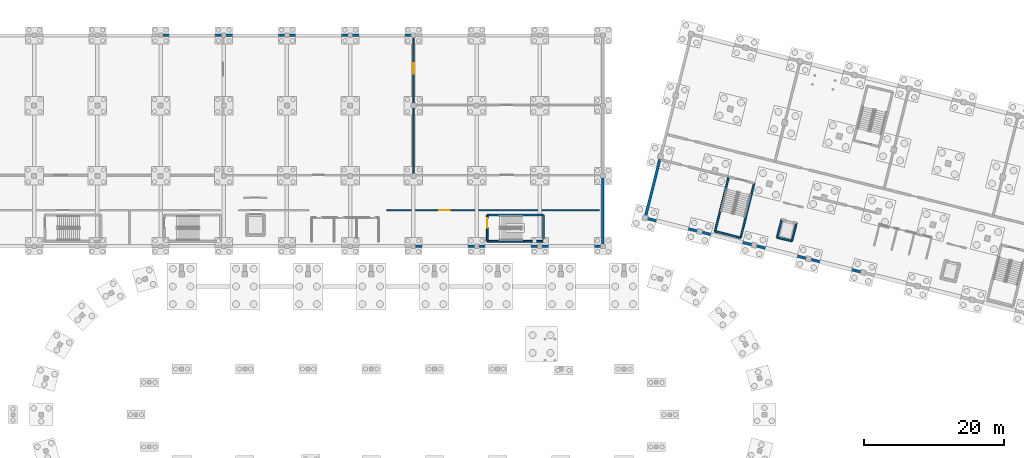
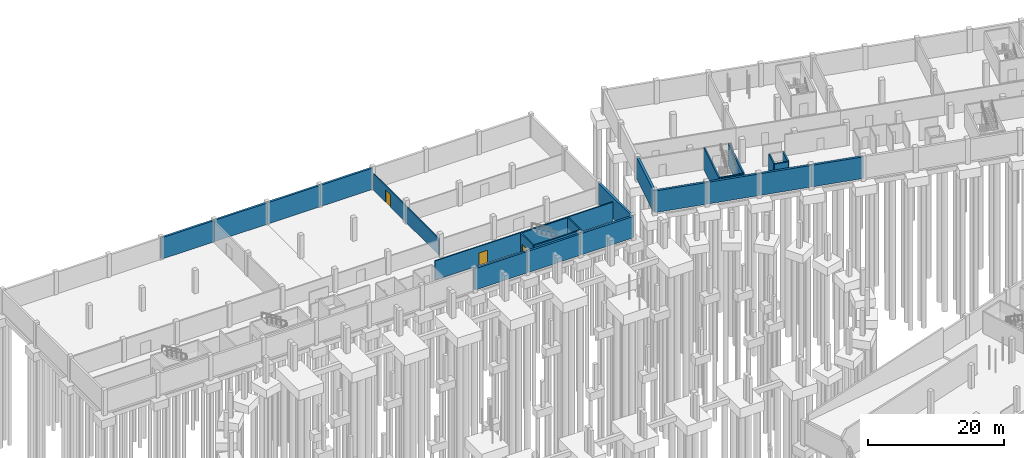
# One storey, part 22 of 36: 25 walls, 3 doors, 3 openings.
"""IFC4 building model written with IfcOpenShell, lengths in metres."""

from ifc_helpers import new_model, si_unit, derived_unit, direction, frame, frame_2d, origin, place, context, subcontext, project, spatial, rectangle, extrude, material, layer, layer_set, type_object, element, fill, save


model = new_model("IFC4")

# Units and contexts
model_context = context("Model", 3, precision=1e-05, world=origin(), true_north=direction((0.0, 1.0)))
body_context = subcontext(model_context, "Body", "Model", "MODEL_VIEW")
ifc_project = project(units=[si_unit("LENGTHUNIT", "METRE"), si_unit("AREAUNIT", "SQUARE_METRE"), si_unit("VOLUMEUNIT", "CUBIC_METRE"), si_unit("PLANEANGLEUNIT", "RADIAN"), si_unit("MASSUNIT", "GRAM", prefix="KILO"), si_unit("THERMODYNAMICTEMPERATUREUNIT", "KELVIN"), si_unit("TIMEUNIT", "SECOND"), derived_unit("THERMALTRANSMITTANCEUNIT", [(si_unit("MASSUNIT", "GRAM", prefix="KILO"), 1), (si_unit("THERMODYNAMICTEMPERATUREUNIT", "KELVIN"), -1), (si_unit("TIMEUNIT", "SECOND"), -3)])], contexts=[model_context])

# Site, building, storey
site_placement = place(None, origin())
site = spatial("IfcSite", under=ifc_project, at=site_placement, CompositionType="ELEMENT")
building_placement = place(site_placement, origin())
building = spatial("IfcBuilding", under=site, at=building_placement, Name="Cambertide Market Hall", CompositionType="ELEMENT")
storey_placement = place(building_placement, frame((0.0, 0.0, -4.199951171875)))
storey = spatial("IfcBuildingStorey", under=building, at=storey_placement, Name="B1", CompositionType="ELEMENT", Elevation=-4.199951171875)

# Walls
ifc_material_1 = material(Name="Concrete B35", Category="concrete")
ifc_layer_1 = layer(ifc_material_1, 0.35009765625, Name="Basement Retaining Wall 350")
ifc_layer_set_1 = layer_set([ifc_layer_1], Name="Concrete B35")
wall_type_1 = type_object("IfcWallType", Name="Basement Retaining Wall 350", PredefinedType="SOLIDWALL", material=ifc_layer_set_1)
for number, where, z_axis, x_axis, name in (
    (1, (39.0, 126.0, 0.0), (0.0, 0.0, 1.0), (1.0, 0.0, 0.0), "Basement 1 Exterior Wall EW-B1-V2N-4"),
    (2, (48.0, 126.0, 0.0), (0.0, 0.0, 1.0), (1.0, 0.0, 0.0), "Basement 1 Exterior Wall EW-B1-V2N-5"),
    (3, (57.0, 126.0, 0.0), (0.0, 0.0, 1.0), (1.0, 0.0, 0.0), "Basement 1 Exterior Wall EW-B1-V2N-6"),
    (4, (66.0, 126.0, 0.0), (0.0, 0.0, 1.0), (1.0, 0.0, 0.0), "Basement 1 Exterior Wall EW-B1-V2N-7"),
    (5, (84.0, 96.0, 0.0), (0.0, 0.0, 1.0), (-1.0, 0.0, 0.0), "Basement 1 Exterior Wall EW-B1-V2S-8"),
    (6, (93.0, 96.0, 0.0), (0.0, 0.0, 1.0), (-1.0, 0.0, 0.0), "Basement 1 Exterior Wall EW-B1-V2S-9"),
    (7, (102.0, 96.0, 0.0), (0.0, 0.0, 1.0), (-1.0, 0.0, 0.0), "Basement 1 Exterior Wall EW-B1-V2S-10"),
):
    element("IfcWall", number, at=place(storey_placement, frame(where, z_axis=z_axis, x_axis=x_axis)), inside=storey, type_object=wall_type_1, Name=name, PredefinedType="SOLIDWALL", context=body_context, shape_type="SweptSolid", body=[
        extrude(rectangle(XDim=9.0, YDim=0.35009765625, at=frame_2d((4.5, 0.0))), origin(), (0.0, 0.0, 1.0), 3.83984375),
    ])
wall_1_placement = place(storey_placement, frame((102.0, 106.0, 0.0), z_axis=(0.0, 0.0, 1.0), x_axis=(0.0, -1.0, 0.0)))
element("IfcWall", 8, at=wall_1_placement, inside=storey, type_object=wall_type_1, Name="Basement 1 Exterior Wall EW-B1-V2E-1", PredefinedType="SOLIDWALL", context=body_context, shape_type="SweptSolid", body=[
    extrude(rectangle(XDim=10.0, YDim=0.35009765625, at=frame_2d((5.0, 0.0))), origin(), (0.0, 0.0, 1.0), 3.83984375),
])

# Wall, opening, door
ifc_material_2 = material(Name="Polyurethane Insulated Stainless Sandwich Panel", Category="metal")
ifc_layer_2 = layer(ifc_material_2, 0.179931640625, Name="Cold-Store Insulated Sandwich Wall 180")
ifc_layer_set_2 = layer_set([ifc_layer_2], Name="Polyurethane Insulated Stainless Sandwich Panel")
wall_type_2 = type_object("IfcWallType", Name="Cold-Store Insulated Sandwich Wall 180", PredefinedType="PARTITIONING", material=ifc_layer_set_2)
wall_2_placement = place(storey_placement, frame((71.199951171875, 101.10009765625, 0.0), z_axis=(0.0, 0.0, 1.0), x_axis=(1.0, 0.0, 0.0)))
wall_2 = element("IfcWall", 9, at=wall_2_placement, inside=storey, type_object=wall_type_2, Name="Basement 1 Interior Wall IW-B1-CS-S3", PredefinedType="PARTITIONING", context=body_context, shape_type="SweptSolid", body=[
    extrude(rectangle(XDim=30.300048828125, YDim=0.179931640625, at=frame_2d((15.14990234375, 0.0))), origin(), (0.0, 0.0, 1.0), 3.43994140625),
])
opening_1_placement = place(wall_2_placement, frame((7.488037109375, 0.0, 0.0)))
opening_1 = element("IfcOpeningElement", 10, at=opening_1_placement, cuts=wall_2, Name="Opening CD-01", PredefinedType="OPENING", context=body_context, shape_type="SweptSolid", body=[
    extrude(rectangle(XDim=1.5, YDim=2.25, at=frame_2d((0.75, 1.125))), frame((0.0, 0.099853515625, 0.0), z_axis=(0.0, -1.0, 0.0), x_axis=(1.0, 0.0, 0.0)), (0.0, 0.0, 1.0), 0.199951171875),
])
ifc_material_3 = material(Name="Polyurethane Insulated Stainless Sandwich Panel", Category="metal")
door_type_1 = type_object("IfcDoorType", Name="Cold-Store Insulated Sliding Door 1500x2250", OperationType="SLIDING_TO_LEFT", PredefinedType="DOOR", material=ifc_material_3)
door_1_placement = place(opening_1_placement, origin())
door_1 = element("IfcDoor", 11, at=door_1_placement, inside=storey, type_object=door_type_1, Name="Basement 1 Door IW-B1-CS-S3-DR1", OperationType="SLIDING_TO_LEFT", OverallHeight=2.25, OverallWidth=1.5, PredefinedType="DOOR", context=body_context, shape_type="SweptSolid", body=[
    extrude(rectangle(XDim=1.5, YDim=2.25, at=frame_2d((0.75, 1.125))), frame((0.0, 0.02490234375, 0.0), z_axis=(0.0, -1.0, 0.0), x_axis=(1.0, 0.0, 0.0)), (0.0, 0.0, 1.0), 0.050048828125),
])
fill(opening_1, door_1)

wall_3_placement = place(storey_placement, frame((75.0, 106.199951171875, 0.0), z_axis=(0.0, 0.0, 1.0), x_axis=(0.0, 1.0, 0.0)))
wall_3 = element("IfcWall", 12, at=wall_3_placement, inside=storey, type_object=wall_type_2, Name="Basement 1 Interior Wall IW-B1-ICE-W", PredefinedType="PARTITIONING", context=body_context, shape_type="SweptSolid", body=[
    extrude(rectangle(XDim=19.400146484375, YDim=0.179931640625, at=frame_2d((9.7001953125, 0.0))), origin(), (0.0, 0.0, 1.0), 2.93994140625),
])
opening_2_placement = place(wall_3_placement, frame((14.320068359375, 0.0, 0.0)))
opening_2 = element("IfcOpeningElement", 13, at=opening_2_placement, cuts=wall_3, Name="Opening CD-01", PredefinedType="OPENING", context=body_context, shape_type="SweptSolid", body=[
    extrude(rectangle(XDim=1.5, YDim=2.25, at=frame_2d((0.75, 1.125))), frame((0.0, 0.099853515625, 0.0), z_axis=(0.0, -1.0, 0.0), x_axis=(1.0, 0.0, 0.0)), (0.0, 0.0, 1.0), 0.199951171875),
])
door_2_placement = place(opening_2_placement, origin())
door_2 = element("IfcDoor", 14, at=door_2_placement, inside=storey, type_object=door_type_1, Name="Basement 1 Door IW-B1-ICE-W-DR1", OperationType="SLIDING_TO_LEFT", OverallHeight=2.25, OverallWidth=1.5, PredefinedType="DOOR", context=body_context, shape_type="SweptSolid", body=[
    extrude(rectangle(XDim=1.5, YDim=2.25, at=frame_2d((0.75, 1.125))), frame((0.0, 0.02490234375, 0.0), z_axis=(0.0, -1.0, 0.0), x_axis=(1.0, 0.0, 0.0)), (0.0, 0.0, 1.0), 0.050048828125),
])
fill(opening_2, door_2)

# Walls
ifc_material_4 = material(Name="Concrete B35", Category="concrete")
ifc_layer_3 = layer(ifc_material_4, 0.3798828125, Name="Heavy Cistern Retaining Wall 380")
ifc_layer_set_3 = layer_set([ifc_layer_3], Name="Concrete B35")
wall_type_3 = type_object("IfcWallType", Name="Heavy Cistern Retaining Wall 380", PredefinedType="SOLIDWALL", material=ifc_layer_set_3)
for number, where, z_axis, x_axis, name in (
    (15, (115.76123046875, 98.059814453125, 0.0), (0.0, 0.0, 1.0), (-0.970146090314, 0.242521263911, 0.0), "Basement 1 Exterior Wall EW-B1-V4S-1"),
    (16, (123.522216796875, 96.119384765625, 0.0), (0.0, 0.0, 1.0), (-0.970137114374, 0.242557167103, 0.0), "Basement 1 Exterior Wall EW-B1-V4S-2"),
    (17, (131.283447265625, 94.17919921875, 0.0), (0.0, 0.0, 1.0), (-0.970146090314, 0.242521263911, 0.0), "Basement 1 Exterior Wall EW-B1-V4S-3"),
):
    element("IfcWall", number, at=place(storey_placement, frame(where, z_axis=z_axis, x_axis=x_axis)), inside=storey, type_object=wall_type_3, Name=name, PredefinedType="SOLIDWALL", context=body_context, shape_type="SweptSolid", body=[
        extrude(rectangle(XDim=8.0, YDim=0.3798828125, at=frame_2d((4.0, 0.0))), origin(), (0.0, 0.0, 1.0), 3.89990234375),
    ])
wall_4_placement = place(storey_placement, frame((139.044677734375, 92.23876953125, 0.0), z_axis=(0.0, 0.0, 1.0), x_axis=(-0.970138909791, 0.242549986002, 0.0)))
element("IfcWall", 18, at=wall_4_placement, inside=storey, type_object=wall_type_3, Name="Basement 1 Exterior Wall EW-B1-V4S-4", PredefinedType="SOLIDWALL", context=body_context, shape_type="SweptSolid", body=[
    extrude(rectangle(XDim=8.000244140625, YDim=0.3798828125, at=frame_2d((4.0, 0.0))), origin(), (0.0, 0.0, 1.0), 3.89990234375),
])
wall_5_placement = place(storey_placement, frame((108.0, 100.0, 0.0), z_axis=(0.0, 0.0, 1.0), x_axis=(0.242542007841, 0.970140904422, 0.0)))
element("IfcWall", 19, at=wall_5_placement, inside=storey, type_object=wall_type_3, Name="Basement 1 Exterior Wall EW-B1-V4W-1", PredefinedType="SOLIDWALL", context=body_context, shape_type="SweptSolid", body=[
    extrude(rectangle(XDim=9.0, YDim=0.3798828125, at=frame_2d((4.5, 0.0))), origin(), (0.0, 0.0, 1.0), 3.89990234375),
])

# Wall, opening, door
ifc_material_5 = material(Name="Concrete B35", Category="concrete")
ifc_layer_4 = layer(ifc_material_5, 0.239990234375, Name="Stair & Lift Core Shaft Wall 240")
ifc_layer_set_4 = layer_set([ifc_layer_4], Name="Concrete B35")
wall_type_4 = type_object("IfcWallType", Name="Stair & Lift Core Shaft Wall 240", PredefinedType="SOLIDWALL", material=ifc_layer_set_4)
wall_6_placement = place(storey_placement, frame((85.52490234375, 96.675048828125, 0.0), z_axis=(0.0, 0.0, 1.0), x_axis=(0.0, 1.0, 0.0)))
wall_6 = element("IfcWall", 20, at=wall_6_placement, inside=storey, type_object=wall_type_4, Name="Basement 1 Interior Wall SHW-ST-04-B1-NEAR", PredefinedType="SOLIDWALL", context=body_context, shape_type="SweptSolid", body=[
    extrude(rectangle(XDim=3.75, YDim=0.239990234375, at=frame_2d((1.875, 0.0))), origin(), (0.0, 0.0, 1.0), 3.89990234375),
])
opening_3_placement = place(wall_6_placement, frame((1.9599609375, 0.0, 0.0)))
opening_3 = element("IfcOpeningElement", 21, at=opening_3_placement, cuts=wall_6, Name="Opening FD-01", PredefinedType="OPENING", context=body_context, shape_type="SweptSolid", body=[
    extrude(rectangle(XDim=1.300048828125, YDim=2.14990234375, at=frame_2d((0.64990234375, 1.074951171875))), frame((0.0, 0.1298828125, 0.0), z_axis=(0.0, -1.0, 0.0), x_axis=(1.0, 0.0, 0.0)), (0.0, 0.0, 1.0), 0.260009765625),
])
ifc_material_6 = material(Name="Powder-Coated Galvanized Sheet Metal", Category="metal")
door_type_2 = type_object("IfcDoorType", Name="Stair Core Fire Door 1300x2150", OperationType="NOTDEFINED", PredefinedType="DOOR", material=ifc_material_6)
door_3_placement = place(opening_3_placement, origin())
door_3 = element("IfcDoor", 22, at=door_3_placement, inside=storey, type_object=door_type_2, Name="Basement 1 Door SHW-ST-04-B1-NEAR-DR1", OperationType="SINGLE_SWING_LEFT", OverallHeight=2.14990234375, OverallWidth=1.300048828125, PredefinedType="DOOR", context=body_context, shape_type="SweptSolid", body=[
    extrude(rectangle(XDim=1.300048828125, YDim=2.14990234375, at=frame_2d((0.64990234375, 1.074951171875))), frame((0.0, 0.02490234375, 0.0), z_axis=(0.0, -1.0, 0.0), x_axis=(1.0, 0.0, 0.0)), (0.0, 0.0, 1.0), 0.050048828125),
])
fill(opening_3, door_3)

# Walls
wall_7_placement = place(storey_placement, frame((93.52490234375, 96.675048828125, 0.0), z_axis=(0.0, 0.0, 1.0), x_axis=(-1.0, 0.0, 0.0)))
element("IfcWall", 23, at=wall_7_placement, inside=storey, type_object=wall_type_4, Name="Basement 1 Interior Wall SHW-ST-04-B1-L", PredefinedType="SOLIDWALL", context=body_context, shape_type="SweptSolid", body=[
    extrude(rectangle(XDim=8.0, YDim=0.239990234375, at=frame_2d((4.0, 0.0))), origin(), (0.0, 0.0, 1.0), 3.89990234375),
])
wall_8_placement = place(storey_placement, frame((93.52490234375, 100.425048828125, 0.0), z_axis=(0.0, 0.0, 1.0), x_axis=(0.0, -1.0, 0.0)))
element("IfcWall", 24, at=wall_8_placement, inside=storey, type_object=wall_type_4, Name="Basement 1 Interior Wall SHW-ST-04-B1-FAR", PredefinedType="SOLIDWALL", context=body_context, shape_type="SweptSolid", body=[
    extrude(rectangle(XDim=3.75, YDim=0.239990234375, at=frame_2d((1.875, 0.0))), origin(), (0.0, 0.0, 1.0), 3.89990234375),
])
wall_9_placement = place(storey_placement, frame((85.52490234375, 100.425048828125, 0.0), z_axis=(0.0, 0.0, 1.0), x_axis=(1.0, 0.0, 0.0)))
element("IfcWall", 25, at=wall_9_placement, inside=storey, type_object=wall_type_4, Name="Basement 1 Interior Wall SHW-ST-04-B1-R", PredefinedType="SOLIDWALL", context=body_context, shape_type="SweptSolid", body=[
    extrude(rectangle(XDim=8.0, YDim=0.239990234375, at=frame_2d((4.0, 0.0))), origin(), (0.0, 0.0, 1.0), 3.89990234375),
])
wall_10_placement = place(storey_placement, frame((117.962158203125, 98.102294921875, 0.0), z_axis=(0.0, 0.0, 1.0), x_axis=(0.242528444268, 0.970144295309, 0.0)))
element("IfcWall", 26, at=wall_10_placement, inside=storey, type_object=wall_type_4, Name="Basement 1 Interior Wall SHW-ST-07A-B1-L", PredefinedType="SOLIDWALL", context=body_context, shape_type="SweptSolid", body=[
    extrude(rectangle(XDim=7.999755859375, YDim=0.239990234375, at=frame_2d((4.0, 0.0))), origin(), (0.0, 0.0, 1.0), 3.89990234375),
])
wall_11_placement = place(storey_placement, frame((121.60009765625, 97.192626953125, 0.0), z_axis=(0.0, 0.0, 1.0), x_axis=(-0.970131009923, 0.242581581301, 0.0)))
element("IfcWall", 27, at=wall_11_placement, inside=storey, type_object=wall_type_4, Name="Basement 1 Interior Wall SHW-ST-07A-B1-FAR", PredefinedType="SOLIDWALL", context=body_context, shape_type="SweptSolid", body=[
    extrude(rectangle(XDim=3.75, YDim=0.239990234375, at=frame_2d((1.875, 0.0))), origin(), (0.0, 0.0, 1.0), 3.89990234375),
])
wall_12_placement = place(storey_placement, frame((123.54052734375, 104.953857421875, 0.0), z_axis=(0.0, 0.0, 1.0), x_axis=(-0.242549986002, -0.970138909791, 0.0)))
element("IfcWall", 28, at=wall_12_placement, inside=storey, type_object=wall_type_4, Name="Basement 1 Interior Wall SHW-ST-07A-B1-R", PredefinedType="SOLIDWALL", context=body_context, shape_type="SweptSolid", body=[
    extrude(rectangle(XDim=8.000244140625, YDim=0.239990234375, at=frame_2d((4.0, 0.0))), origin(), (0.0, 0.0, 1.0), 3.89990234375),
])
wall_13_placement = place(storey_placement, frame((128.904052734375, 96.701416015625, 0.0), z_axis=(0.0, 0.0, 1.0), x_axis=(-0.970135850962, 0.242562220222, 0.0)))
element("IfcWall", 29, at=wall_13_placement, inside=storey, type_object=wall_type_4, Name="Basement 1 Interior Wall LSH-LP-03-B1-S", PredefinedType="SOLIDWALL", context=body_context, shape_type="SweptSolid", body=[
    extrude(rectangle(XDim=2.159912109375, YDim=0.239990234375, at=frame_2d((1.080078125, 0.0))), origin(), (0.0, 0.0, 1.0), 3.800048828125),
])
for number, where, z_axis, x_axis, name in (
    (30, (126.80859375, 97.225341796875, 0.0), (0.0, 0.0, 1.0), (0.242578816146, 0.970131701346, 0.0), "Basement 1 Interior Wall LSH-LP-03-B1-W"),
    (31, (129.54931640625, 99.281982421875, 0.0), (0.0, 0.0, 1.0), (-0.242578816146, -0.970131701346, 0.0), "Basement 1 Interior Wall LSH-LP-03-B1-E"),
):
    element("IfcWall", number, at=place(storey_placement, frame(where, z_axis=z_axis, x_axis=x_axis)), inside=storey, type_object=wall_type_4, Name=name, PredefinedType="SOLIDWALL", context=body_context, shape_type="SweptSolid", body=[
        extrude(rectangle(XDim=2.659912109375, YDim=0.239990234375, at=frame_2d((1.330078125, 0.0))), origin(), (0.0, 0.0, 1.0), 3.800048828125),
    ])

save(model, "model.ifc")
